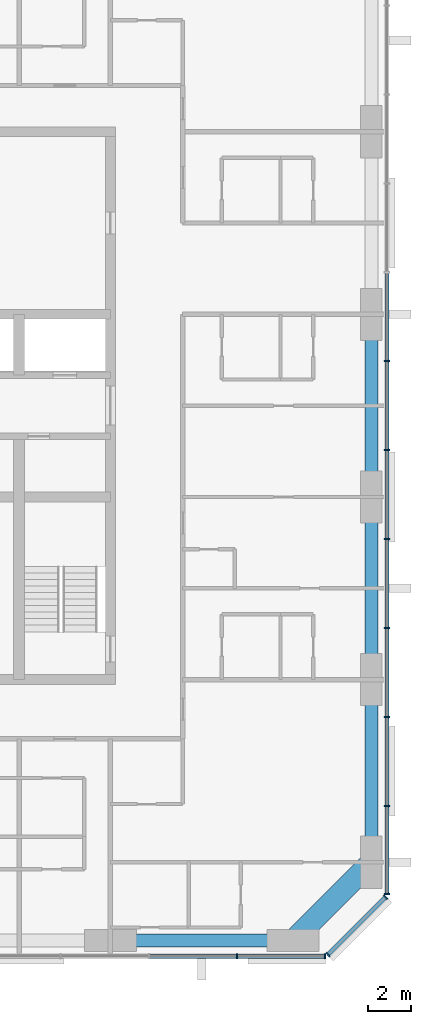
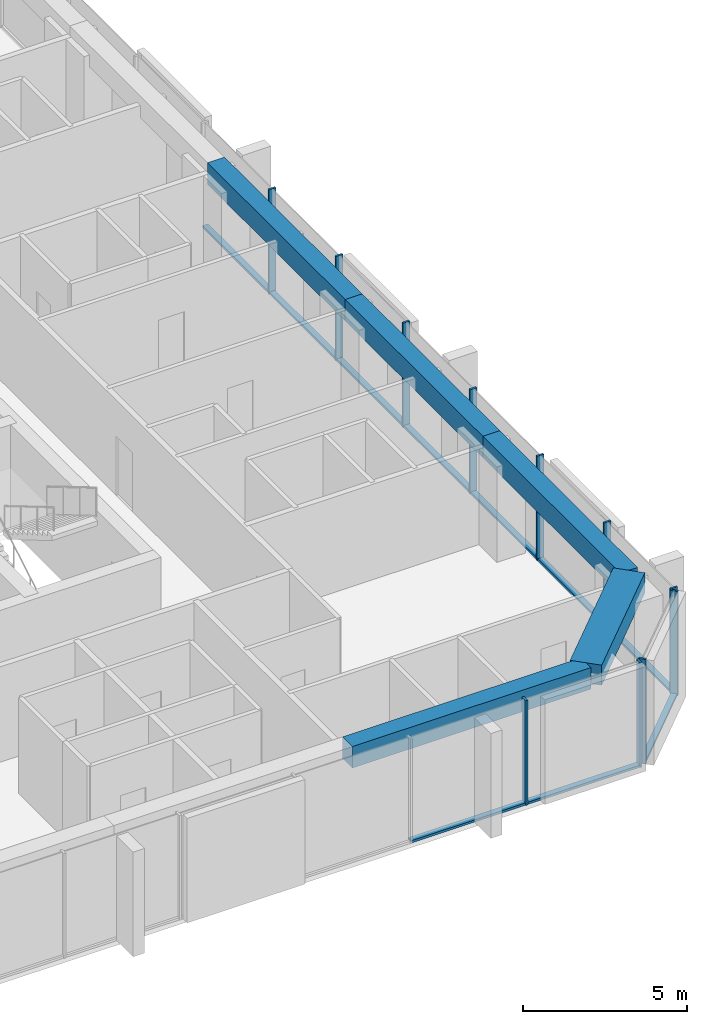
# One storey, part 3 of 12: 21 members, 5 beams, 3 elements without a shape of their own.
"""IFC4 building model written with IfcOpenShell, lengths in metres."""

from ifc_helpers import new_model, si_unit, direction, frame, origin, origin_2d, place, context, subcontext, project, spatial, rectangle, extrude, material, material_profile, profile_set, type_object, element, aggregate, save


model = new_model("IFC4")

# Units and contexts
model_context = context("Model", 3, precision=1e-05, world=origin(), true_north=direction((0.0, 1.0)))
body_context = subcontext(model_context, "Body", "Model", "MODEL_VIEW")
ifc_project = project(units=[si_unit("LENGTHUNIT", "METRE"), si_unit("AREAUNIT", "SQUARE_METRE"), si_unit("VOLUMEUNIT", "CUBIC_METRE"), si_unit("PLANEANGLEUNIT", "RADIAN"), si_unit("MASSUNIT", "GRAM", prefix="KILO")], contexts=[model_context])

# Site, building, storey
site_placement = place(None, origin())
site = spatial("IfcSite", under=ifc_project, at=site_placement, CompositionType="ELEMENT")
building_placement = place(site_placement, origin())
building = spatial("IfcBuilding", under=site, at=building_placement, Name="Dunama Terrace Hotel", CompositionType="ELEMENT")
storey_placement = place(building_placement, frame((0.0, 0.0, 272.39990234375)))
storey = spatial("IfcBuildingStorey", under=building, at=storey_placement, Name="L70", CompositionType="ELEMENT", Elevation=272.39990234375)

# Curtain wall, members
ifc_material_1 = material(Name="Aluminium curtain wall system", Category="aluminium")
curtain_wall_type = type_object("IfcCurtainWallType", Name="Unitised fritted glass wall CW-D", PredefinedType="NOTDEFINED", material=ifc_material_1)
curtain_wall_1_placement = place(storey_placement, origin())
curtain_wall_1 = element("IfcCurtainWall", 1, at=curtain_wall_1_placement, inside=storey, type_object=curtain_wall_type, Name="Unitised fritted glass wall CW-D L70", PredefinedType="NOTDEFINED")
ifc_material_2 = material(Name="Aluminium mullion", Category="aluminium")
ifc_material_profile_1 = material_profile(ifc_material_2, rectangle(XDim=0.070068359375, YDim=0.239990234375, at=origin_2d()), Name="CWD MULLION 70X240")
ifc_profile_set_1 = profile_set([ifc_material_profile_1], Name="Aluminium mullion")
member_type_1 = type_object("IfcMemberType", Name="CWD mullion 70x240", PredefinedType="MULLION", material=ifc_profile_set_1)
member_1_placement = place(storey_placement, frame((47.8330078125, 4.080078125, 0.0), z_axis=(0.0, 0.0, 1.0), x_axis=(1.0, 0.0, 0.0)))
member_1 = element("IfcMember", 2, at=member_1_placement, type_object=member_type_1, Name="CWD mullion", PredefinedType="MULLION", context=body_context, shape_type="SweptSolid", body=[
    extrude(rectangle(XDim=0.070068359375, YDim=0.239990234375, at=origin_2d()), origin(), (0.0, 0.0, 1.0), 3.900146484375),
])
member_2_placement = place(storey_placement, frame((51.864990234375, 4.080078125, 0.0), z_axis=(0.0, 0.0, 1.0), x_axis=(1.0, 0.0, 0.0)))
member_2 = element("IfcMember", 3, at=member_2_placement, type_object=member_type_1, Name="CWD mullion", PredefinedType="MULLION", context=body_context, shape_type="SweptSolid", body=[
    extrude(rectangle(XDim=0.070068359375, YDim=0.239990234375, at=origin_2d()), origin(), (0.0, 0.0, 1.0), 3.900146484375),
])

curtain_wall_2_placement = place(storey_placement, origin())
curtain_wall_2 = element("IfcCurtainWall", 4, at=curtain_wall_2_placement, inside=storey, type_object=curtain_wall_type, Name="Unitised fritted glass wall CW-D L70", PredefinedType="NOTDEFINED")
member_3_placement = place(storey_placement, frame((52.010009765625, 4.139892578125, 0.0), z_axis=(0.0, 0.0, 1.0), x_axis=(0.707106781187, 0.707106781187, 0.0)))
member_3 = element("IfcMember", 5, at=member_3_placement, type_object=member_type_1, Name="CWD mullion", PredefinedType="MULLION", context=body_context, shape_type="SweptSolid", body=[
    extrude(rectangle(XDim=0.070068359375, YDim=0.239990234375, at=origin_2d()), origin(), (0.0, 0.0, 1.0), 3.900146484375),
])
member_4_placement = place(storey_placement, frame((54.659912109375, 6.7900390625, 0.0), z_axis=(0.0, 0.0, 1.0), x_axis=(0.707106781187, 0.707106781187, 0.0)))
member_4 = element("IfcMember", 6, at=member_4_placement, type_object=member_type_1, Name="CWD mullion", PredefinedType="MULLION", context=body_context, shape_type="SweptSolid", body=[
    extrude(rectangle(XDim=0.070068359375, YDim=0.239990234375, at=origin_2d()), origin(), (0.0, 0.0, 1.0), 3.900146484375),
])

curtain_wall_3_placement = place(storey_placement, origin())
curtain_wall_3 = element("IfcCurtainWall", 7, at=curtain_wall_3_placement, inside=storey, type_object=curtain_wall_type, Name="Unitised fritted glass wall CW-D L70", PredefinedType="NOTDEFINED")
member_5_placement = place(storey_placement, frame((54.719970703125, 6.93505859375, 0.0), z_axis=(0.0, 0.0, 1.0), x_axis=(0.0, 1.0, 0.0)))
member_5 = element("IfcMember", 8, at=member_5_placement, type_object=member_type_1, Name="CWD mullion", PredefinedType="MULLION", context=body_context, shape_type="SweptSolid", body=[
    extrude(rectangle(XDim=0.070068359375, YDim=0.239990234375, at=origin_2d()), origin(), (0.0, 0.0, 1.0), 3.900146484375),
])
member_6_placement = place(storey_placement, frame((54.719970703125, 10.990966796875, 0.0), z_axis=(0.0, 0.0, 1.0), x_axis=(0.0, 1.0, 0.0)))
member_6 = element("IfcMember", 9, at=member_6_placement, type_object=member_type_1, Name="CWD mullion", PredefinedType="MULLION", context=body_context, shape_type="SweptSolid", body=[
    extrude(rectangle(XDim=0.070068359375, YDim=0.239990234375, at=origin_2d()), origin(), (0.0, 0.0, 1.0), 3.900146484375),
])
member_7_placement = place(storey_placement, frame((54.719970703125, 15.08203125, 0.0), z_axis=(0.0, 0.0, 1.0), x_axis=(0.0, 1.0, 0.0)))
member_7 = element("IfcMember", 10, at=member_7_placement, type_object=member_type_1, Name="CWD mullion", PredefinedType="MULLION", context=body_context, shape_type="SweptSolid", body=[
    extrude(rectangle(XDim=0.070068359375, YDim=0.239990234375, at=origin_2d()), origin(), (0.0, 0.0, 1.0), 3.900146484375),
])
member_8_placement = place(storey_placement, frame((54.719970703125, 19.173095703125, 0.0), z_axis=(0.0, 0.0, 1.0), x_axis=(0.0, 1.0, 0.0)))
member_8 = element("IfcMember", 11, at=member_8_placement, type_object=member_type_1, Name="CWD mullion", PredefinedType="MULLION", context=body_context, shape_type="SweptSolid", body=[
    extrude(rectangle(XDim=0.070068359375, YDim=0.239990234375, at=origin_2d()), origin(), (0.0, 0.0, 1.0), 3.900146484375),
])
member_9_placement = place(storey_placement, frame((54.719970703125, 23.263916015625, 0.0), z_axis=(0.0, 0.0, 1.0), x_axis=(0.0, 1.0, 0.0)))
member_9 = element("IfcMember", 12, at=member_9_placement, type_object=member_type_1, Name="CWD mullion", PredefinedType="MULLION", context=body_context, shape_type="SweptSolid", body=[
    extrude(rectangle(XDim=0.070068359375, YDim=0.239990234375, at=origin_2d()), origin(), (0.0, 0.0, 1.0), 3.900146484375),
])
member_10_placement = place(storey_placement, frame((54.719970703125, 27.35498046875, 0.0), z_axis=(0.0, 0.0, 1.0), x_axis=(0.0, 1.0, 0.0)))
member_10 = element("IfcMember", 13, at=member_10_placement, type_object=member_type_1, Name="CWD mullion", PredefinedType="MULLION", context=body_context, shape_type="SweptSolid", body=[
    extrude(rectangle(XDim=0.070068359375, YDim=0.239990234375, at=origin_2d()), origin(), (0.0, 0.0, 1.0), 3.900146484375),
])
member_11_placement = place(storey_placement, frame((54.719970703125, 31.445068359375, 0.0), z_axis=(0.0, 0.0, 1.0), x_axis=(0.0, 1.0, 0.0)))
member_11 = element("IfcMember", 14, at=member_11_placement, type_object=member_type_1, Name="CWD mullion", PredefinedType="MULLION", context=body_context, shape_type="SweptSolid", body=[
    extrude(rectangle(XDim=0.070068359375, YDim=0.239990234375, at=origin_2d()), origin(), (0.0, 0.0, 1.0), 3.900146484375),
])

# Member
ifc_material_3 = material(Name="Aluminium transom", Category="aluminium")
ifc_material_profile_2 = material_profile(ifc_material_3, rectangle(XDim=0.199951171875, YDim=0.0849609375, at=origin_2d()), Name="CWD TRANSOM 200X85")
ifc_profile_set_2 = profile_set([ifc_material_profile_2], Name="Aluminium transom")
member_type_2 = type_object("IfcMemberType", Name="CWD transom 200x85", PredefinedType="USERDEFINED", material=ifc_profile_set_2)
member_12_placement = place(storey_placement, frame((43.802001953125, 4.080078125, 0.04248046875), z_axis=(1.0, 0.0, 0.0), x_axis=(0.0, 1.0, 0.0)))
member_12 = element("IfcMember", 15, at=member_12_placement, type_object=member_type_2, Name="CWD transom", ObjectType="TRANSOM", PredefinedType="USERDEFINED", context=body_context, shape_type="SweptSolid", body=[
    extrude(rectangle(XDim=0.199951171875, YDim=0.0849609375, at=origin_2d()), origin(), (0.0, 0.0, 1.0), 3.99609375),
])

member_13_placement = place(storey_placement, frame((47.867919921875, 4.080078125, 0.04248046875), z_axis=(1.0, 0.0, 0.0), x_axis=(0.0, 1.0, 0.0)))
member_13 = element("IfcMember", 16, at=member_13_placement, type_object=member_type_2, Name="CWD transom", ObjectType="TRANSOM", PredefinedType="USERDEFINED", context=body_context, shape_type="SweptSolid", body=[
    extrude(rectangle(XDim=0.199951171875, YDim=0.0849609375, at=origin_2d()), origin(), (0.0, 0.0, 1.0), 3.962158203125),
])

aggregate(curtain_wall_1, [member_1, member_2, member_12, member_13])

member_14_placement = place(storey_placement, frame((52.033935546875, 4.1650390625, 0.04248046875), z_axis=(0.707106781187, 0.707106781187, 0.0), x_axis=(-0.707106781187, 0.707106781187, 0.0)))
member_14 = element("IfcMember", 17, at=member_14_placement, type_object=member_type_2, Name="CWD transom", ObjectType="TRANSOM", PredefinedType="USERDEFINED", context=body_context, shape_type="SweptSolid", body=[
    extrude(rectangle(XDim=0.199951171875, YDim=0.0849609375, at=origin_2d()), origin(), (0.0, 0.0, 1.0), 3.678466796875),
])

aggregate(curtain_wall_2, [member_3, member_4, member_14])

member_15_placement = place(storey_placement, frame((54.719970703125, 6.969970703125, 0.04248046875), z_axis=(0.0, 1.0, 0.0), x_axis=(-1.0, 0.0, 0.0)))
member_15 = element("IfcMember", 18, at=member_15_placement, type_object=member_type_2, Name="CWD transom", ObjectType="TRANSOM", PredefinedType="USERDEFINED", context=body_context, shape_type="SweptSolid", body=[
    extrude(rectangle(XDim=0.199951171875, YDim=0.0849609375, at=origin_2d()), origin(), (0.0, 0.0, 1.0), 3.986083984375),
])

member_16_placement = place(storey_placement, frame((54.719970703125, 11.02587890625, 0.04248046875), z_axis=(0.0, 1.0, 0.0), x_axis=(-1.0, 0.0, 0.0)))
member_16 = element("IfcMember", 19, at=member_16_placement, type_object=member_type_2, Name="CWD transom", ObjectType="TRANSOM", PredefinedType="USERDEFINED", context=body_context, shape_type="SweptSolid", body=[
    extrude(rectangle(XDim=0.199951171875, YDim=0.0849609375, at=origin_2d()), origin(), (0.0, 0.0, 1.0), 4.021240234375),
])

member_17_placement = place(storey_placement, frame((54.719970703125, 15.116943359375, 0.04248046875), z_axis=(0.0, 1.0, 0.0), x_axis=(-1.0, 0.0, 0.0)))
member_17 = element("IfcMember", 20, at=member_17_placement, type_object=member_type_2, Name="CWD transom", ObjectType="TRANSOM", PredefinedType="USERDEFINED", context=body_context, shape_type="SweptSolid", body=[
    extrude(rectangle(XDim=0.199951171875, YDim=0.0849609375, at=origin_2d()), origin(), (0.0, 0.0, 1.0), 4.02099609375),
])

member_18_placement = place(storey_placement, frame((54.719970703125, 19.2080078125, 0.04248046875), z_axis=(0.0, 1.0, 0.0), x_axis=(-1.0, 0.0, 0.0)))
member_18 = element("IfcMember", 21, at=member_18_placement, type_object=member_type_2, Name="CWD transom", ObjectType="TRANSOM", PredefinedType="USERDEFINED", context=body_context, shape_type="SweptSolid", body=[
    extrude(rectangle(XDim=0.199951171875, YDim=0.0849609375, at=origin_2d()), origin(), (0.0, 0.0, 1.0), 4.02099609375),
])

member_19_placement = place(storey_placement, frame((54.719970703125, 23.299072265625, 0.04248046875), z_axis=(0.0, 1.0, 0.0), x_axis=(-1.0, 0.0, 0.0)))
member_19 = element("IfcMember", 22, at=member_19_placement, type_object=member_type_2, Name="CWD transom", ObjectType="TRANSOM", PredefinedType="USERDEFINED", context=body_context, shape_type="SweptSolid", body=[
    extrude(rectangle(XDim=0.199951171875, YDim=0.0849609375, at=origin_2d()), origin(), (0.0, 0.0, 1.0), 4.02099609375),
])

member_20_placement = place(storey_placement, frame((54.719970703125, 27.389892578125, 0.04248046875), z_axis=(0.0, 1.0, 0.0), x_axis=(-1.0, 0.0, 0.0)))
member_20 = element("IfcMember", 23, at=member_20_placement, type_object=member_type_2, Name="CWD transom", ObjectType="TRANSOM", PredefinedType="USERDEFINED", context=body_context, shape_type="SweptSolid", body=[
    extrude(rectangle(XDim=0.199951171875, YDim=0.0849609375, at=origin_2d()), origin(), (0.0, 0.0, 1.0), 4.02001953125),
])

member_21_placement = place(storey_placement, frame((54.719970703125, 31.47998046875, 0.04248046875), z_axis=(0.0, 1.0, 0.0), x_axis=(-1.0, 0.0, 0.0)))
member_21 = element("IfcMember", 24, at=member_21_placement, type_object=member_type_2, Name="CWD transom", ObjectType="TRANSOM", PredefinedType="USERDEFINED", context=body_context, shape_type="SweptSolid", body=[
    extrude(rectangle(XDim=0.199951171875, YDim=0.0849609375, at=origin_2d()), origin(), (0.0, 0.0, 1.0), 4.02099609375),
])

aggregate(curtain_wall_3, [member_5, member_6, member_7, member_8, member_9, member_10, member_11, member_15, member_16, member_17, member_18, member_19, member_20, member_21])

# Beams
ifc_material_4 = material(Name="Concrete C50/60", Category="concrete")
ifc_material_profile_3 = material_profile(ifc_material_4, rectangle(XDim=1.0, YDim=0.75, at=origin_2d()), Name="RC 1000x750")
ifc_profile_set_3 = profile_set([ifc_material_profile_3], Name="Concrete C50/60")
beam_type_1 = type_object("IfcBeamType", Name="Edge beam RC 1000x750", PredefinedType="SPANDREL", material=ifc_profile_set_3)
beam_1_placement = place(storey_placement, frame((50.39990234375, 4.800048828125, 3.525146484375), z_axis=(0.707130757816, 0.707082803744, 0.0), x_axis=(-0.707082803744, 0.707130757816, 0.0)))
element("IfcBeam", 25, at=beam_1_placement, inside=storey, type_object=beam_type_1, Name="Corner edge beam under L71", PredefinedType="SPANDREL", context=body_context, shape_type="SweptSolid", body=[
    extrude(rectangle(XDim=1.0, YDim=0.75, at=origin_2d()), origin(), (0.0, 0.0, 1.0), 5.091064453125),
])
ifc_material_5 = material(Name="Concrete C40/50", Category="concrete")
ifc_material_profile_4 = material_profile(ifc_material_5, rectangle(XDim=0.60009765625, YDim=0.800048828125, at=origin_2d()), Name="RC 600x800")
ifc_profile_set_4 = profile_set([ifc_material_profile_4], Name="Concrete C40/50")
beam_type_2 = type_object("IfcBeamType", Name="Edge beam RC 600x800", PredefinedType="SPANDREL", material=ifc_profile_set_4)
beam_2_placement = place(storey_placement, frame((54.0, 8.39990234375, 3.5), z_axis=(0.0, 1.0, 0.0), x_axis=(-1.0, 0.0, 0.0)))
element("IfcBeam", 26, at=beam_2_placement, inside=storey, type_object=beam_type_2, Name="Edge beam under L71", PredefinedType="SPANDREL", context=body_context, shape_type="SweptSolid", body=[
    extrude(rectangle(XDim=0.60009765625, YDim=0.800048828125, at=origin_2d()), origin(), (0.0, 0.0, 1.0), 8.400146484375),
])
beam_3_placement = place(storey_placement, frame((54.0, 16.800048828125, 3.5), z_axis=(0.0, 1.0, 0.0), x_axis=(-1.0, 0.0, 0.0)))
element("IfcBeam", 27, at=beam_3_placement, inside=storey, type_object=beam_type_2, Name="Edge beam under L71", PredefinedType="SPANDREL", context=body_context, shape_type="SweptSolid", body=[
    extrude(rectangle(XDim=0.60009765625, YDim=0.800048828125, at=origin_2d()), origin(), (0.0, 0.0, 1.0), 8.39990234375),
])
beam_4_placement = place(storey_placement, frame((54.0, 25.199951171875, 3.5), z_axis=(0.0, 1.0, 0.0), x_axis=(-1.0, 0.0, 0.0)))
element("IfcBeam", 28, at=beam_4_placement, inside=storey, type_object=beam_type_2, Name="Edge beam under L71", PredefinedType="SPANDREL", context=body_context, shape_type="SweptSolid", body=[
    extrude(rectangle(XDim=0.60009765625, YDim=0.800048828125, at=origin_2d()), origin(), (0.0, 0.0, 1.0), 8.400146484375),
])
beam_5_placement = place(storey_placement, frame((42.0, 4.800048828125, 3.5), z_axis=(1.0, 0.0, 0.0), x_axis=(0.0, 1.0, 0.0)))
element("IfcBeam", 29, at=beam_5_placement, inside=storey, type_object=beam_type_2, Name="Edge beam under L71", PredefinedType="SPANDREL", context=body_context, shape_type="SweptSolid", body=[
    extrude(rectangle(XDim=0.60009765625, YDim=0.800048828125, at=origin_2d()), origin(), (0.0, 0.0, 1.0), 8.39990234375),
])

save(model, "model.ifc")
